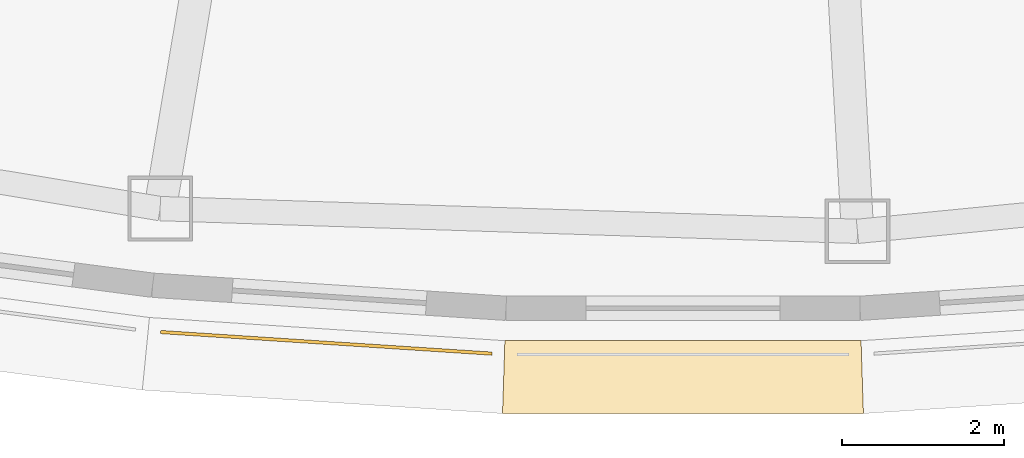
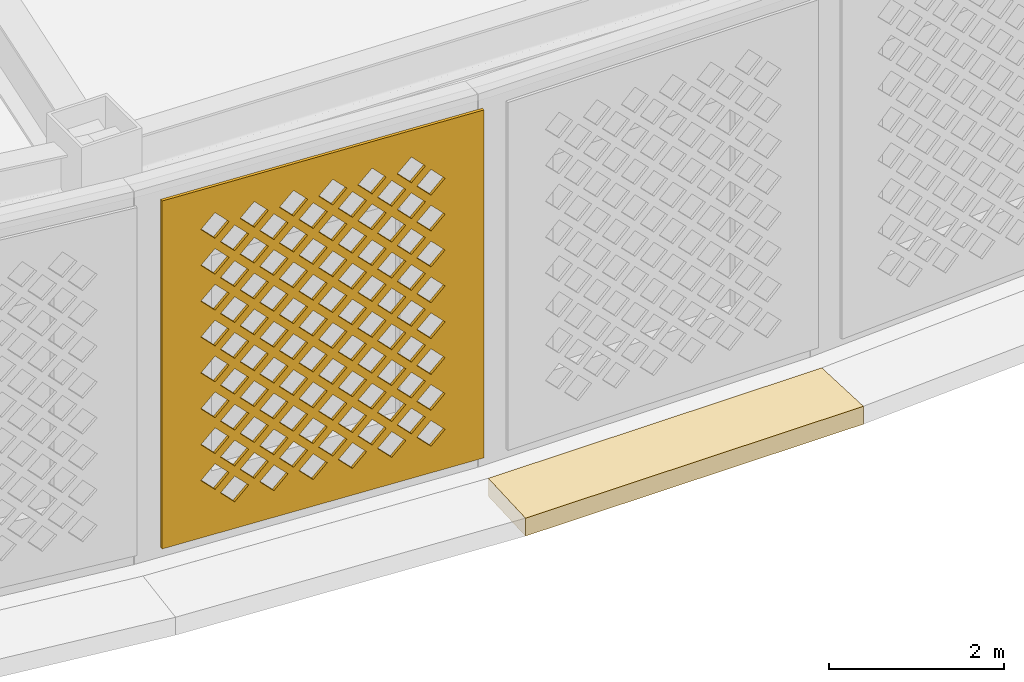
# One storey, part 46 of 63: 2 coverings.
"""IFC4 building model written with IfcOpenShell, lengths in metres."""

from ifc_helpers import new_model, si_unit, direction, frame, origin, place, context, subcontext, project, spatial, polyline, outline, extrude, material, layer, layer_set, type_object, element, save


model = new_model("IFC4")

# Units and contexts
model_context = context("Model", 3, precision=1e-05, world=origin(), true_north=direction((0.0, 1.0)))
body_context = subcontext(model_context, "Body", "Model", "MODEL_VIEW")
ifc_project = project(units=[si_unit("LENGTHUNIT", "METRE"), si_unit("AREAUNIT", "SQUARE_METRE"), si_unit("VOLUMEUNIT", "CUBIC_METRE"), si_unit("PLANEANGLEUNIT", "RADIAN"), si_unit("MASSUNIT", "GRAM", prefix="KILO")], contexts=[model_context])

# Site, building, storey
site_placement = place(None, origin())
site = spatial("IfcSite", under=ifc_project, at=site_placement, CompositionType="ELEMENT")
building_placement = place(site_placement, origin())
building = spatial("IfcBuilding", under=site, at=building_placement, Name="Noorbagh Ring Tower", CompositionType="ELEMENT")
storey_placement = place(building_placement, frame((0.0, 0.0, 25.0)))
storey = spatial("IfcBuildingStorey", under=building, at=storey_placement, Name="L04", CompositionType="ELEMENT", Elevation=25.0)

# Coverings
ifc_material_1 = material(Name="Red sandstone eave", Category="masonry")
covering_type_1 = type_object("IfcCoveringType", Name="STY-CHHAJJA", PredefinedType="USERDEFINED", material=ifc_material_1)
covering_1_placement = place(storey_placement, frame((0.0, 0.0, -0.25)))
element("IfcCovering", 1, at=covering_1_placement, inside=storey, type_object=covering_type_1, Name="Chhajja eave", ObjectType="CHHAJJA", PredefinedType="USERDEFINED", context=body_context, shape_type="SweptSolid", body=[
    extrude(outline(polyline([(-2.198486328125, -39.964111328125), (2.198486328125, -39.964111328125), (2.227783203125, -40.8642578125), (-2.227783203125, -40.8642578125), (-2.198486328125, -39.964111328125)])), origin(), (0.0, 0.0, 1.0), 0.25),
])
ifc_material_2 = material(Name="Red sandstone jali", Category="masonry")
ifc_layer = layer(ifc_material_2, 0.0400390625)
ifc_layer_set = layer_set([ifc_layer], Name="Red sandstone jali")
covering_type_2 = type_object("IfcCoveringType", Name="STY-JALI", PredefinedType="USERDEFINED", material=ifc_layer_set)
covering_2_placement = place(storey_placement, frame((-6.448974609375, -39.877197265625, 0.449951171875), z_axis=(-0.065130734288, -0.997876739608, 0.0), x_axis=(0.997876739608, -0.065130734288, 0.0)))
element("IfcCovering", 2, at=covering_2_placement, inside=storey, type_object=covering_type_2, Name="Jali screen", ObjectType="SCREEN", PredefinedType="USERDEFINED", context=body_context, shape_type="SweptSolid", body=[
    extrude(outline(polyline([(0.0, 0.0), (4.09716796875, 0.0), (4.09716796875, 4.85009765625), (0.0, 4.85009765625), (0.0, 0.0)]), holes=[polyline([(0.743408203125, 0.550048828125), (0.923583984375, 0.3701171875), (1.103515625, 0.550048828125), (0.923583984375, 0.72998046875), (0.743408203125, 0.550048828125)]), polyline([(1.243408203125, 0.550048828125), (1.423583984375, 0.3701171875), (1.603515625, 0.550048828125), (1.423583984375, 0.72998046875), (1.243408203125, 0.550048828125)]), polyline([(1.743408203125, 0.550048828125), (1.923583984375, 0.3701171875), (2.103515625, 0.550048828125), (1.923583984375, 0.72998046875), (1.743408203125, 0.550048828125)]), polyline([(2.243408203125, 0.550048828125), (2.423583984375, 0.3701171875), (2.603515625, 0.550048828125), (2.423583984375, 0.72998046875), (2.243408203125, 0.550048828125)]), polyline([(2.743408203125, 0.550048828125), (2.923583984375, 0.3701171875), (3.103515625, 0.550048828125), (2.923583984375, 0.72998046875), (2.743408203125, 0.550048828125)]), polyline([(3.243408203125, 0.550048828125), (3.423583984375, 0.3701171875), (3.603515625, 0.550048828125), (3.423583984375, 0.72998046875), (3.243408203125, 0.550048828125)]), polyline([(0.493408203125, 0.800048828125), (0.673583984375, 0.6201171875), (0.853515625, 0.800048828125), (0.673583984375, 0.97998046875), (0.493408203125, 0.800048828125)]), polyline([(0.993408203125, 0.800048828125), (1.173583984375, 0.6201171875), (1.353515625, 0.800048828125), (1.173583984375, 0.97998046875), (0.993408203125, 0.800048828125)]), polyline([(1.493408203125, 0.800048828125), (1.673583984375, 0.6201171875), (1.853515625, 0.800048828125), (1.673583984375, 0.97998046875), (1.493408203125, 0.800048828125)]), polyline([(1.993408203125, 0.800048828125), (2.173583984375, 0.6201171875), (2.353515625, 0.800048828125), (2.173583984375, 0.97998046875), (1.993408203125, 0.800048828125)]), polyline([(2.493408203125, 0.800048828125), (2.673583984375, 0.6201171875), (2.853515625, 0.800048828125), (2.673583984375, 0.97998046875), (2.493408203125, 0.800048828125)]), polyline([(2.993408203125, 0.800048828125), (3.173583984375, 0.6201171875), (3.353515625, 0.800048828125), (3.173583984375, 0.97998046875), (2.993408203125, 0.800048828125)]), polyline([(0.743408203125, 1.050048828125), (0.923583984375, 0.8701171875), (1.103515625, 1.050048828125), (0.923583984375, 1.22998046875), (0.743408203125, 1.050048828125)]), polyline([(1.243408203125, 1.050048828125), (1.423583984375, 0.8701171875), (1.603515625, 1.050048828125), (1.423583984375, 1.22998046875), (1.243408203125, 1.050048828125)]), polyline([(1.743408203125, 1.050048828125), (1.923583984375, 0.8701171875), (2.103515625, 1.050048828125), (1.923583984375, 1.22998046875), (1.743408203125, 1.050048828125)]), polyline([(2.243408203125, 1.050048828125), (2.423583984375, 0.8701171875), (2.603515625, 1.050048828125), (2.423583984375, 1.22998046875), (2.243408203125, 1.050048828125)]), polyline([(2.743408203125, 1.050048828125), (2.923583984375, 0.8701171875), (3.103515625, 1.050048828125), (2.923583984375, 1.22998046875), (2.743408203125, 1.050048828125)]), polyline([(3.243408203125, 1.050048828125), (3.423583984375, 0.8701171875), (3.603515625, 1.050048828125), (3.423583984375, 1.22998046875), (3.243408203125, 1.050048828125)]), polyline([(0.493408203125, 1.300048828125), (0.673583984375, 1.1201171875), (0.853515625, 1.300048828125), (0.673583984375, 1.47998046875), (0.493408203125, 1.300048828125)]), polyline([(0.993408203125, 1.300048828125), (1.173583984375, 1.1201171875), (1.353515625, 1.300048828125), (1.173583984375, 1.47998046875), (0.993408203125, 1.300048828125)]), polyline([(1.493408203125, 1.300048828125), (1.673583984375, 1.1201171875), (1.853515625, 1.300048828125), (1.673583984375, 1.47998046875), (1.493408203125, 1.300048828125)]), polyline([(1.993408203125, 1.300048828125), (2.173583984375, 1.1201171875), (2.353515625, 1.300048828125), (2.173583984375, 1.47998046875), (1.993408203125, 1.300048828125)]), polyline([(2.493408203125, 1.300048828125), (2.673583984375, 1.1201171875), (2.853515625, 1.300048828125), (2.673583984375, 1.47998046875), (2.493408203125, 1.300048828125)]), polyline([(2.993408203125, 1.300048828125), (3.173583984375, 1.1201171875), (3.353515625, 1.300048828125), (3.173583984375, 1.47998046875), (2.993408203125, 1.300048828125)]), polyline([(0.743408203125, 1.550048828125), (0.923583984375, 1.3701171875), (1.103515625, 1.550048828125), (0.923583984375, 1.72998046875), (0.743408203125, 1.550048828125)]), polyline([(1.243408203125, 1.550048828125), (1.423583984375, 1.3701171875), (1.603515625, 1.550048828125), (1.423583984375, 1.72998046875), (1.243408203125, 1.550048828125)]), polyline([(1.743408203125, 1.550048828125), (1.923583984375, 1.3701171875), (2.103515625, 1.550048828125), (1.923583984375, 1.72998046875), (1.743408203125, 1.550048828125)]), polyline([(2.243408203125, 1.550048828125), (2.423583984375, 1.3701171875), (2.603515625, 1.550048828125), (2.423583984375, 1.72998046875), (2.243408203125, 1.550048828125)]), polyline([(2.743408203125, 1.550048828125), (2.923583984375, 1.3701171875), (3.103515625, 1.550048828125), (2.923583984375, 1.72998046875), (2.743408203125, 1.550048828125)]), polyline([(3.243408203125, 1.550048828125), (3.423583984375, 1.3701171875), (3.603515625, 1.550048828125), (3.423583984375, 1.72998046875), (3.243408203125, 1.550048828125)]), polyline([(0.493408203125, 1.800048828125), (0.673583984375, 1.6201171875), (0.853515625, 1.800048828125), (0.673583984375, 1.97998046875), (0.493408203125, 1.800048828125)]), polyline([(0.993408203125, 1.800048828125), (1.173583984375, 1.6201171875), (1.353515625, 1.800048828125), (1.173583984375, 1.97998046875), (0.993408203125, 1.800048828125)]), polyline([(1.493408203125, 1.800048828125), (1.673583984375, 1.6201171875), (1.853515625, 1.800048828125), (1.673583984375, 1.97998046875), (1.493408203125, 1.800048828125)]), polyline([(1.993408203125, 1.800048828125), (2.173583984375, 1.6201171875), (2.353515625, 1.800048828125), (2.173583984375, 1.97998046875), (1.993408203125, 1.800048828125)]), polyline([(2.493408203125, 1.800048828125), (2.673583984375, 1.6201171875), (2.853515625, 1.800048828125), (2.673583984375, 1.97998046875), (2.493408203125, 1.800048828125)]), polyline([(2.993408203125, 1.800048828125), (3.173583984375, 1.6201171875), (3.353515625, 1.800048828125), (3.173583984375, 1.97998046875), (2.993408203125, 1.800048828125)]), polyline([(0.743408203125, 2.050048828125), (0.923583984375, 1.8701171875), (1.103515625, 2.050048828125), (0.923583984375, 2.22998046875), (0.743408203125, 2.050048828125)]), polyline([(1.243408203125, 2.050048828125), (1.423583984375, 1.8701171875), (1.603515625, 2.050048828125), (1.423583984375, 2.22998046875), (1.243408203125, 2.050048828125)]), polyline([(1.743408203125, 2.050048828125), (1.923583984375, 1.8701171875), (2.103515625, 2.050048828125), (1.923583984375, 2.22998046875), (1.743408203125, 2.050048828125)]), polyline([(2.243408203125, 2.050048828125), (2.423583984375, 1.8701171875), (2.603515625, 2.050048828125), (2.423583984375, 2.22998046875), (2.243408203125, 2.050048828125)]), polyline([(2.743408203125, 2.050048828125), (2.923583984375, 1.8701171875), (3.103515625, 2.050048828125), (2.923583984375, 2.22998046875), (2.743408203125, 2.050048828125)]), polyline([(3.243408203125, 2.050048828125), (3.423583984375, 1.8701171875), (3.603515625, 2.050048828125), (3.423583984375, 2.22998046875), (3.243408203125, 2.050048828125)]), polyline([(0.493408203125, 2.300048828125), (0.673583984375, 2.1201171875), (0.853515625, 2.300048828125), (0.673583984375, 2.47998046875), (0.493408203125, 2.300048828125)]), polyline([(0.993408203125, 2.300048828125), (1.173583984375, 2.1201171875), (1.353515625, 2.300048828125), (1.173583984375, 2.47998046875), (0.993408203125, 2.300048828125)]), polyline([(1.493408203125, 2.300048828125), (1.673583984375, 2.1201171875), (1.853515625, 2.300048828125), (1.673583984375, 2.47998046875), (1.493408203125, 2.300048828125)]), polyline([(1.993408203125, 2.300048828125), (2.173583984375, 2.1201171875), (2.353515625, 2.300048828125), (2.173583984375, 2.47998046875), (1.993408203125, 2.300048828125)]), polyline([(2.493408203125, 2.300048828125), (2.673583984375, 2.1201171875), (2.853515625, 2.300048828125), (2.673583984375, 2.47998046875), (2.493408203125, 2.300048828125)]), polyline([(2.993408203125, 2.300048828125), (3.173583984375, 2.1201171875), (3.353515625, 2.300048828125), (3.173583984375, 2.47998046875), (2.993408203125, 2.300048828125)]), polyline([(0.743408203125, 2.550048828125), (0.923583984375, 2.3701171875), (1.103515625, 2.550048828125), (0.923583984375, 2.72998046875), (0.743408203125, 2.550048828125)]), polyline([(1.243408203125, 2.550048828125), (1.423583984375, 2.3701171875), (1.603515625, 2.550048828125), (1.423583984375, 2.72998046875), (1.243408203125, 2.550048828125)]), polyline([(1.743408203125, 2.550048828125), (1.923583984375, 2.3701171875), (2.103515625, 2.550048828125), (1.923583984375, 2.72998046875), (1.743408203125, 2.550048828125)]), polyline([(2.243408203125, 2.550048828125), (2.423583984375, 2.3701171875), (2.603515625, 2.550048828125), (2.423583984375, 2.72998046875), (2.243408203125, 2.550048828125)]), polyline([(2.743408203125, 2.550048828125), (2.923583984375, 2.3701171875), (3.103515625, 2.550048828125), (2.923583984375, 2.72998046875), (2.743408203125, 2.550048828125)]), polyline([(3.243408203125, 2.550048828125), (3.423583984375, 2.3701171875), (3.603515625, 2.550048828125), (3.423583984375, 2.72998046875), (3.243408203125, 2.550048828125)]), polyline([(0.493408203125, 2.800048828125), (0.673583984375, 2.6201171875), (0.853515625, 2.800048828125), (0.673583984375, 2.97998046875), (0.493408203125, 2.800048828125)]), polyline([(0.993408203125, 2.800048828125), (1.173583984375, 2.6201171875), (1.353515625, 2.800048828125), (1.173583984375, 2.97998046875), (0.993408203125, 2.800048828125)]), polyline([(1.493408203125, 2.800048828125), (1.673583984375, 2.6201171875), (1.853515625, 2.800048828125), (1.673583984375, 2.97998046875), (1.493408203125, 2.800048828125)]), polyline([(1.993408203125, 2.800048828125), (2.173583984375, 2.6201171875), (2.353515625, 2.800048828125), (2.173583984375, 2.97998046875), (1.993408203125, 2.800048828125)]), polyline([(2.493408203125, 2.800048828125), (2.673583984375, 2.6201171875), (2.853515625, 2.800048828125), (2.673583984375, 2.97998046875), (2.493408203125, 2.800048828125)]), polyline([(2.993408203125, 2.800048828125), (3.173583984375, 2.6201171875), (3.353515625, 2.800048828125), (3.173583984375, 2.97998046875), (2.993408203125, 2.800048828125)]), polyline([(0.743408203125, 3.050048828125), (0.923583984375, 2.8701171875), (1.103515625, 3.050048828125), (0.923583984375, 3.22998046875), (0.743408203125, 3.050048828125)]), polyline([(1.243408203125, 3.050048828125), (1.423583984375, 2.8701171875), (1.603515625, 3.050048828125), (1.423583984375, 3.22998046875), (1.243408203125, 3.050048828125)]), polyline([(1.743408203125, 3.050048828125), (1.923583984375, 2.8701171875), (2.103515625, 3.050048828125), (1.923583984375, 3.22998046875), (1.743408203125, 3.050048828125)]), polyline([(2.243408203125, 3.050048828125), (2.423583984375, 2.8701171875), (2.603515625, 3.050048828125), (2.423583984375, 3.22998046875), (2.243408203125, 3.050048828125)]), polyline([(2.743408203125, 3.050048828125), (2.923583984375, 2.8701171875), (3.103515625, 3.050048828125), (2.923583984375, 3.22998046875), (2.743408203125, 3.050048828125)]), polyline([(3.243408203125, 3.050048828125), (3.423583984375, 2.8701171875), (3.603515625, 3.050048828125), (3.423583984375, 3.22998046875), (3.243408203125, 3.050048828125)]), polyline([(0.493408203125, 3.300048828125), (0.673583984375, 3.1201171875), (0.853515625, 3.300048828125), (0.673583984375, 3.47998046875), (0.493408203125, 3.300048828125)]), polyline([(0.993408203125, 3.300048828125), (1.173583984375, 3.1201171875), (1.353515625, 3.300048828125), (1.173583984375, 3.47998046875), (0.993408203125, 3.300048828125)]), polyline([(1.493408203125, 3.300048828125), (1.673583984375, 3.1201171875), (1.853515625, 3.300048828125), (1.673583984375, 3.47998046875), (1.493408203125, 3.300048828125)]), polyline([(1.993408203125, 3.300048828125), (2.173583984375, 3.1201171875), (2.353515625, 3.300048828125), (2.173583984375, 3.47998046875), (1.993408203125, 3.300048828125)]), polyline([(2.493408203125, 3.300048828125), (2.673583984375, 3.1201171875), (2.853515625, 3.300048828125), (2.673583984375, 3.47998046875), (2.493408203125, 3.300048828125)]), polyline([(2.993408203125, 3.300048828125), (3.173583984375, 3.1201171875), (3.353515625, 3.300048828125), (3.173583984375, 3.47998046875), (2.993408203125, 3.300048828125)]), polyline([(0.743408203125, 3.550048828125), (0.923583984375, 3.3701171875), (1.103515625, 3.550048828125), (0.923583984375, 3.72998046875), (0.743408203125, 3.550048828125)]), polyline([(1.243408203125, 3.550048828125), (1.423583984375, 3.3701171875), (1.603515625, 3.550048828125), (1.423583984375, 3.72998046875), (1.243408203125, 3.550048828125)]), polyline([(1.743408203125, 3.550048828125), (1.923583984375, 3.3701171875), (2.103515625, 3.550048828125), (1.923583984375, 3.72998046875), (1.743408203125, 3.550048828125)]), polyline([(2.243408203125, 3.550048828125), (2.423583984375, 3.3701171875), (2.603515625, 3.550048828125), (2.423583984375, 3.72998046875), (2.243408203125, 3.550048828125)]), polyline([(2.743408203125, 3.550048828125), (2.923583984375, 3.3701171875), (3.103515625, 3.550048828125), (2.923583984375, 3.72998046875), (2.743408203125, 3.550048828125)]), polyline([(3.243408203125, 3.550048828125), (3.423583984375, 3.3701171875), (3.603515625, 3.550048828125), (3.423583984375, 3.72998046875), (3.243408203125, 3.550048828125)]), polyline([(0.493408203125, 3.800048828125), (0.673583984375, 3.6201171875), (0.853515625, 3.800048828125), (0.673583984375, 3.97998046875), (0.493408203125, 3.800048828125)]), polyline([(0.993408203125, 3.800048828125), (1.173583984375, 3.6201171875), (1.353515625, 3.800048828125), (1.173583984375, 3.97998046875), (0.993408203125, 3.800048828125)]), polyline([(1.493408203125, 3.800048828125), (1.673583984375, 3.6201171875), (1.853515625, 3.800048828125), (1.673583984375, 3.97998046875), (1.493408203125, 3.800048828125)]), polyline([(1.993408203125, 3.800048828125), (2.173583984375, 3.6201171875), (2.353515625, 3.800048828125), (2.173583984375, 3.97998046875), (1.993408203125, 3.800048828125)]), polyline([(2.493408203125, 3.800048828125), (2.673583984375, 3.6201171875), (2.853515625, 3.800048828125), (2.673583984375, 3.97998046875), (2.493408203125, 3.800048828125)]), polyline([(2.993408203125, 3.800048828125), (3.173583984375, 3.6201171875), (3.353515625, 3.800048828125), (3.173583984375, 3.97998046875), (2.993408203125, 3.800048828125)]), polyline([(0.743408203125, 4.050048828125), (0.923583984375, 3.8701171875), (1.103515625, 4.050048828125), (0.923583984375, 4.22998046875), (0.743408203125, 4.050048828125)]), polyline([(1.243408203125, 4.050048828125), (1.423583984375, 3.8701171875), (1.603515625, 4.050048828125), (1.423583984375, 4.22998046875), (1.243408203125, 4.050048828125)]), polyline([(1.743408203125, 4.050048828125), (1.923583984375, 3.8701171875), (2.103515625, 4.050048828125), (1.923583984375, 4.22998046875), (1.743408203125, 4.050048828125)]), polyline([(2.243408203125, 4.050048828125), (2.423583984375, 3.8701171875), (2.603515625, 4.050048828125), (2.423583984375, 4.22998046875), (2.243408203125, 4.050048828125)]), polyline([(2.743408203125, 4.050048828125), (2.923583984375, 3.8701171875), (3.103515625, 4.050048828125), (2.923583984375, 4.22998046875), (2.743408203125, 4.050048828125)]), polyline([(3.243408203125, 4.050048828125), (3.423583984375, 3.8701171875), (3.603515625, 4.050048828125), (3.423583984375, 4.22998046875), (3.243408203125, 4.050048828125)]), polyline([(0.493408203125, 4.300048828125), (0.673583984375, 4.1201171875), (0.853515625, 4.300048828125), (0.673583984375, 4.47998046875), (0.493408203125, 4.300048828125)]), polyline([(0.993408203125, 4.300048828125), (1.173583984375, 4.1201171875), (1.353515625, 4.300048828125), (1.173583984375, 4.47998046875), (0.993408203125, 4.300048828125)]), polyline([(1.493408203125, 4.300048828125), (1.673583984375, 4.1201171875), (1.853515625, 4.300048828125), (1.673583984375, 4.47998046875), (1.493408203125, 4.300048828125)]), polyline([(1.993408203125, 4.300048828125), (2.173583984375, 4.1201171875), (2.353515625, 4.300048828125), (2.173583984375, 4.47998046875), (1.993408203125, 4.300048828125)]), polyline([(2.493408203125, 4.300048828125), (2.673583984375, 4.1201171875), (2.853515625, 4.300048828125), (2.673583984375, 4.47998046875), (2.493408203125, 4.300048828125)]), polyline([(2.993408203125, 4.300048828125), (3.173583984375, 4.1201171875), (3.353515625, 4.300048828125), (3.173583984375, 4.47998046875), (2.993408203125, 4.300048828125)])]), origin(), (0.0, 0.0, -1.0), 0.0400390625),
])

save(model, "model.ifc")
